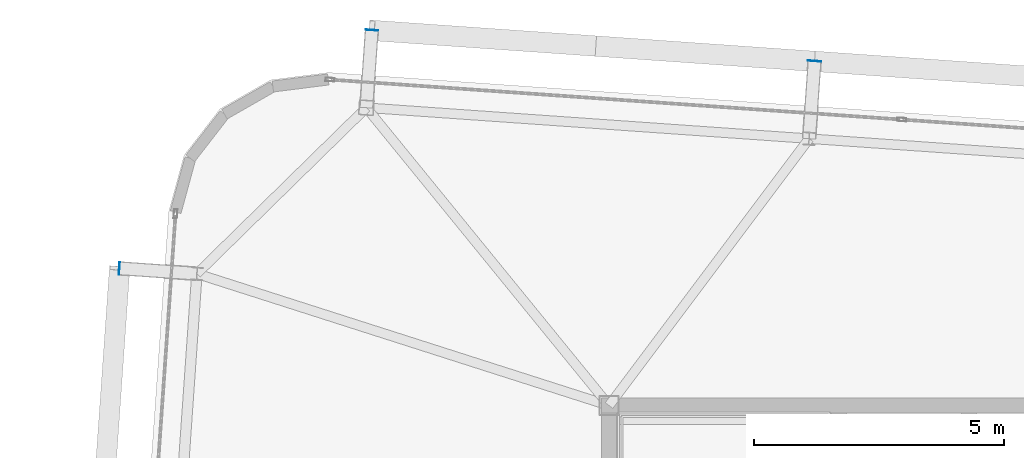
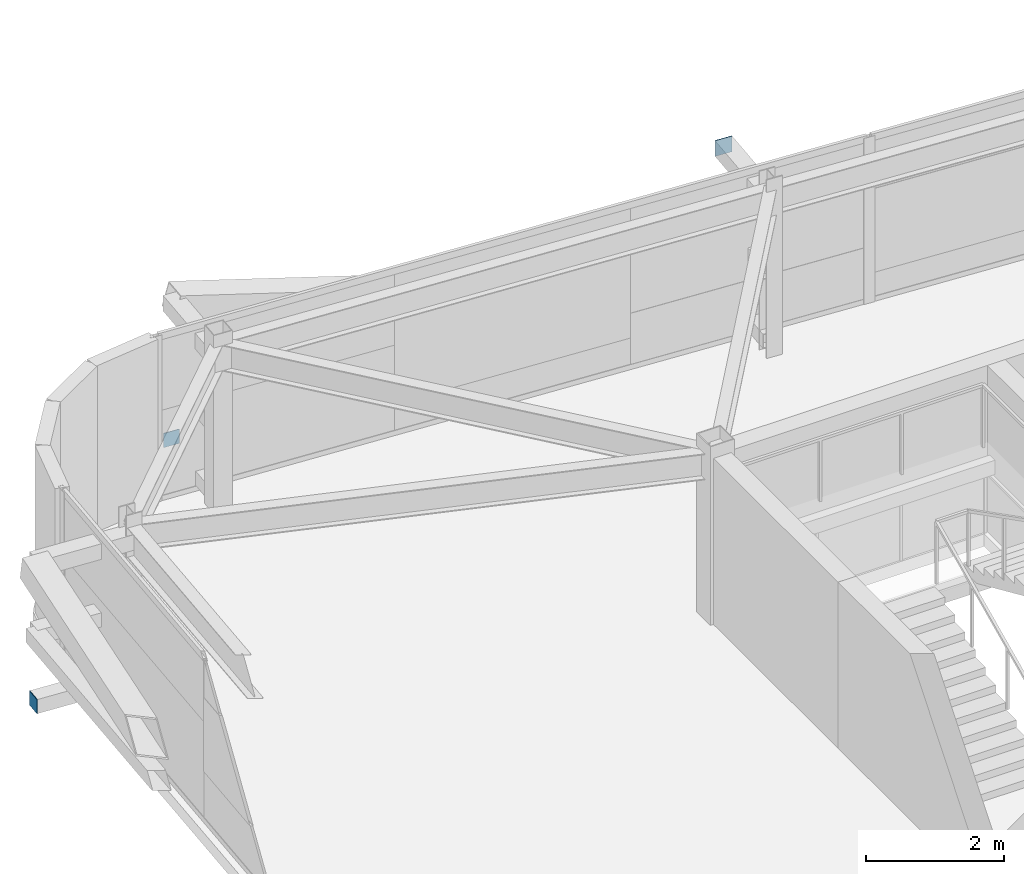
# One storey, part 32 of 39: 3 plates.
"""IFC4 building model written with IfcOpenShell, lengths in metres."""

from ifc_helpers import new_model, si_unit, direction, frame, origin, origin_2d, place, context, subcontext, project, spatial, rectangle, extrude, source, transform, mapped, material, layer, layer_set, type_object, element, save


model = new_model("IFC4")

# Units and contexts
model_context = context("Model", 3, precision=1e-05, world=origin(), true_north=direction((0.0, 1.0)))
body_context = subcontext(model_context, "Body", "Model", "MODEL_VIEW")
ifc_project = project(units=[si_unit("LENGTHUNIT", "METRE"), si_unit("AREAUNIT", "SQUARE_METRE"), si_unit("VOLUMEUNIT", "CUBIC_METRE"), si_unit("PLANEANGLEUNIT", "RADIAN"), si_unit("MASSUNIT", "GRAM", prefix="KILO")], contexts=[model_context])

# Site, building, storey
site_placement = place(None, origin())
site = spatial("IfcSite", under=ifc_project, at=site_placement, CompositionType="ELEMENT")
building_placement = place(site_placement, origin())
building = spatial("IfcBuilding", under=site, at=building_placement, Name="Taldren Reach Tower", CompositionType="ELEMENT")
storey_placement = place(building_placement, frame((0.0, 0.0, 129.85009765625)))
storey = spatial("IfcBuildingStorey", under=building, at=storey_placement, Name="L39", CompositionType="ELEMENT", Elevation=129.85009765625)

# Plates
ifc_material_1 = material(Name="Steel Gr 450 (C450L0)", Category="steel")
ifc_layer_1 = layer(ifc_material_1, 0.011962890625)
ifc_layer_set_1 = layer_set([ifc_layer_1], Name="Steel Gr 450 (C450L0)")
plate_type_1 = type_object("IfcPlateType", Name="PL-CAP-275", PredefinedType="SHEET", material=ifc_layer_set_1)
shared_shape_1 = source(origin(), body_context, "Body", "SweptSolid", [
    extrude(rectangle(XDim=0.27490234375, YDim=0.011962890625, at=origin_2d()), origin(), (0.0, 0.0, 1.0), 0.27490234375),
])
plate_1_placement = place(storey_placement, frame((23.111572265625, 38.8916015625, 2.512451171875), z_axis=(0.0, 0.0, 1.0), x_axis=(0.99756405026, -0.069756473744, 0.0)))
element("IfcPlate", 1, at=plate_1_placement, inside=storey, type_object=plate_type_1, Name="Tie strut end cap plate B3-N2 L39", PredefinedType="SHEET", context=body_context, shape_type="MappedRepresentation", body=[
    mapped(shared_shape_1, transform((0.0, 0.0, 0.0), scale=1.0)),
])
ifc_material_2 = material(Name="Steel Gr 350 (C350L0)", Category="steel")
ifc_layer_2 = layer(ifc_material_2, 0.011962890625)
ifc_layer_set_2 = layer_set([ifc_layer_2], Name="Steel Gr 350 (C350L0)")
plate_type_2 = type_object("IfcPlateType", Name="PL-CAP-250", PredefinedType="SHEET", material=ifc_layer_set_2)
shared_shape_2 = source(origin(), body_context, "Body", "SweptSolid", [
    extrude(rectangle(XDim=0.25, YDim=0.011962890625, at=origin_2d()), origin(), (0.0, 0.0, 1.0), 0.25),
])
plate_2_placement = place(storey_placement, frame((14.253173828125, 39.510986328125, 0.094970703125), z_axis=(0.0, 0.0, 1.0), x_axis=(0.99756405026, -0.069756473744, 0.0)))
element("IfcPlate", 2, at=plate_2_placement, inside=storey, type_object=plate_type_2, Name="Tie strut end cap plate B3-N1 L39", PredefinedType="SHEET", context=body_context, shape_type="MappedRepresentation", body=[
    mapped(shared_shape_2, transform((0.0, 0.0, 0.0), scale=1.0)),
])
shared_shape_3 = source(origin(), body_context, "Body", "SweptSolid", [
    extrude(rectangle(XDim=0.011962890625, YDim=0.25, at=origin_2d()), origin(), (0.0, 0.0, 1.0), 0.25),
])
plate_3_placement = place(storey_placement, frame((9.202392578125, 34.74560546875, 0.094970703125), z_axis=(0.0, 0.0, 1.0), x_axis=(0.99756405026, -0.069756473744, 0.0)))
element("IfcPlate", 3, at=plate_3_placement, inside=storey, type_object=plate_type_2, Name="Tie strut end cap plate B3-W3 L39", PredefinedType="SHEET", context=body_context, shape_type="MappedRepresentation", body=[
    mapped(shared_shape_3, transform((0.0, 0.0, 0.0), scale=1.0)),
])

save(model, "model.ifc")
